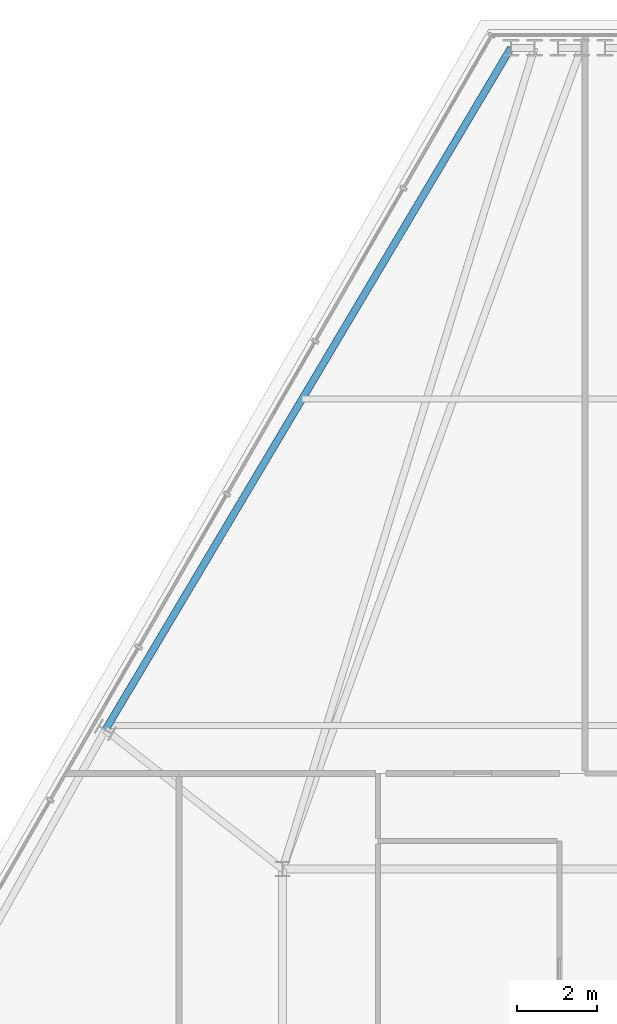
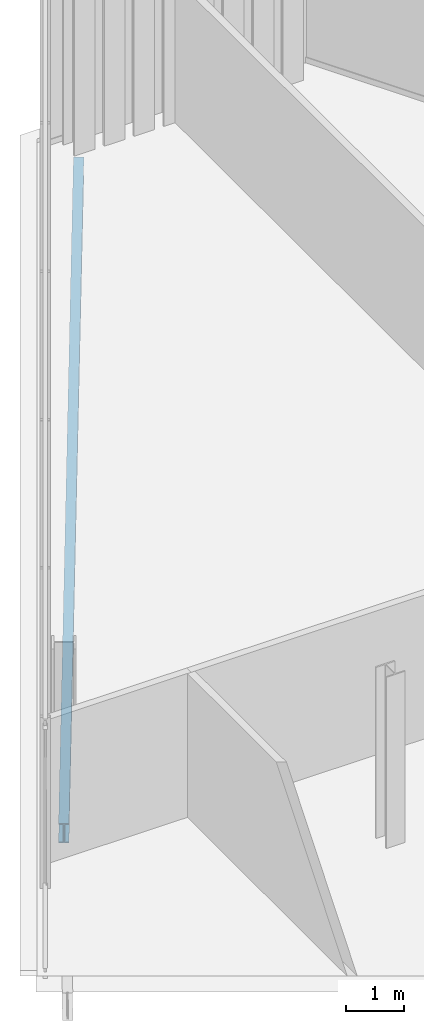
# One storey, part 16 of 35: 1 beam.
"""IFC4 building model written with IfcOpenShell, lengths in metres."""

from ifc_helpers import new_model, si_unit, direction, frame, origin, origin_2d, place, context, subcontext, project, spatial, i_section, extrude, material, material_profile, profile_set, type_object, element, save


model = new_model("IFC4")

# Units and contexts
model_context = context("Model", 3, precision=1e-05, world=origin(), true_north=direction((0.0, 1.0)))
body_context = subcontext(model_context, "Body", "Model", "MODEL_VIEW")
ifc_project = project(units=[si_unit("LENGTHUNIT", "METRE"), si_unit("AREAUNIT", "SQUARE_METRE"), si_unit("VOLUMEUNIT", "CUBIC_METRE"), si_unit("PLANEANGLEUNIT", "RADIAN"), si_unit("MASSUNIT", "GRAM", prefix="KILO")], contexts=[model_context])

# Site, building, storey
site_placement = place(None, origin())
site = spatial("IfcSite", under=ifc_project, at=site_placement, CompositionType="ELEMENT")
building_placement = place(site_placement, origin())
building = spatial("IfcBuilding", under=site, at=building_placement, Name="Ndaravel Arena Tower", CompositionType="ELEMENT")
storey_placement = place(building_placement, frame((0.0, 0.0, 271.199951171875)))
storey = spatial("IfcBuildingStorey", under=building, at=storey_placement, Name="L66", CompositionType="ELEMENT", Elevation=271.199951171875)

# Beam
ifc_material = material(Name="Steel S355", Category="steel")
ifc_material_profile = material_profile(ifc_material, i_section(OverallWidth=0.179931640625, OverallDepth=0.39990234375, WebThickness=0.008544921875, FlangeThickness=0.013427734375, FilletRadius=0.02099609375, at=origin_2d()), Name="IPE 400")
ifc_profile_set = profile_set([ifc_material_profile], Name="Steel S355")
beam_type = type_object("IfcBeamType", Name="BM-SPAN-IPE400", PredefinedType="SPANDREL", material=ifc_profile_set)
beam_placement = place(storey_placement, frame((39.934814453125, 43.818115234375, -0.419921875), z_axis=(-0.511058754537, -0.85954578087, 0.0), x_axis=(0.85954578087, -0.511058754537, 0.0)))
element("IfcBeam", 1, at=beam_placement, inside=storey, type_object=beam_type, Name="L66 Perimeter Spandrel Beam SP-18", PredefinedType="SPANDREL", context=body_context, shape_type="SweptSolid", body=[
    extrude(i_section(OverallWidth=0.179931640625, OverallDepth=0.39990234375, WebThickness=0.008544921875, FlangeThickness=0.013427734375, FilletRadius=0.02099609375, at=origin_2d()), origin(), (0.0, 0.0, 1.0), 19.923583984375),
])

save(model, "model.ifc")
